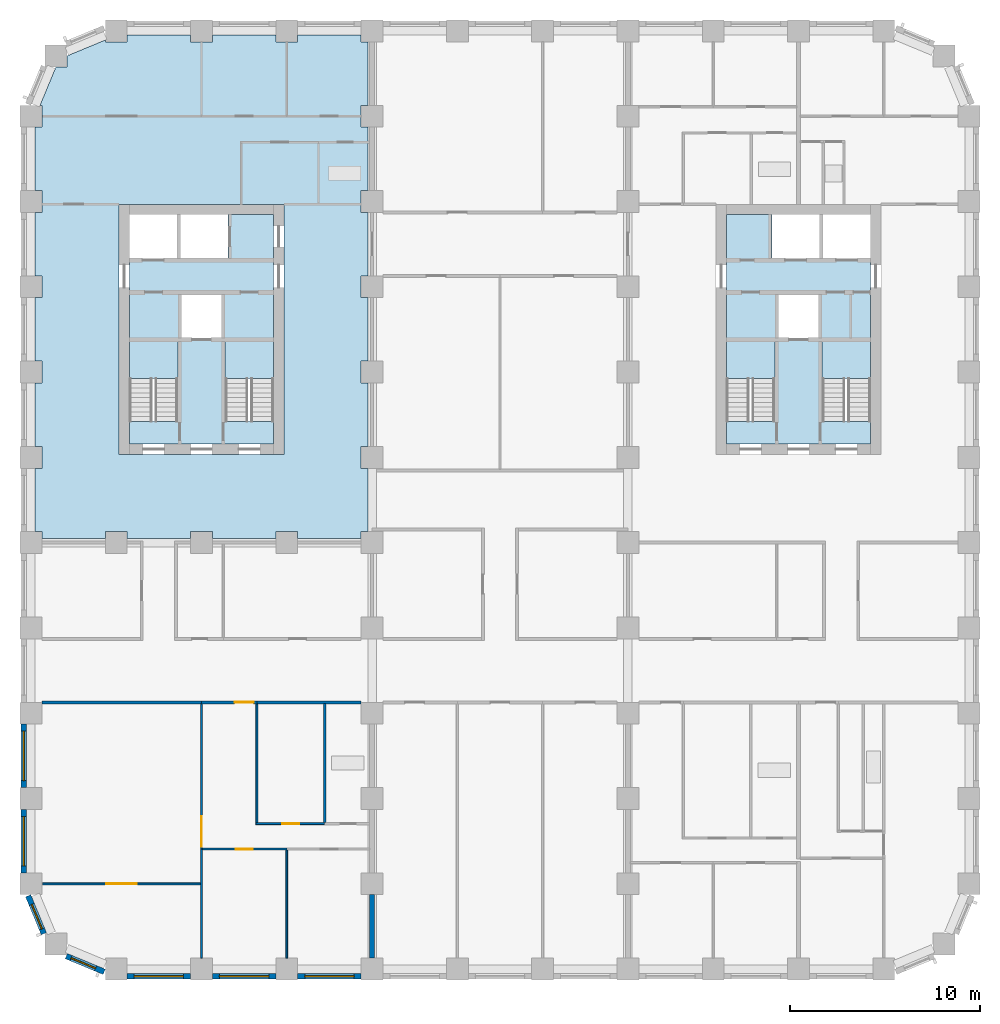
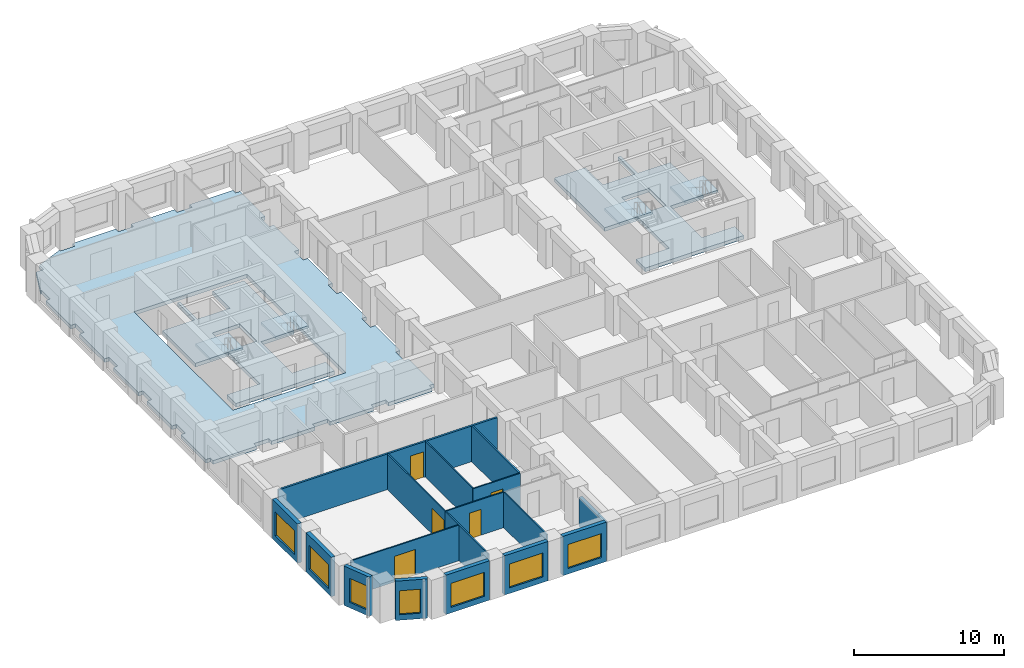
# One storey, part 2 of 12: 19 walls, 7 slabs, 7 windows, 5 doors, 12 openings, 4 elements without a shape of their own.
"""IFC4 building model written with IfcOpenShell, lengths in metres."""

from ifc_helpers import new_model, si_unit, direction, frame, frame_2d, origin, place, context, subcontext, project, spatial, polyline, rectangle, outline, extrude, material, layer, layer_set, type_object, element, fill, aggregate, save


model = new_model("IFC4")

# Units and contexts
model_context = context("Model", 3, precision=1e-05, world=origin(), true_north=direction((0.0, 1.0)))
body_context = subcontext(model_context, "Body", "Model", "MODEL_VIEW")
ifc_project = project(units=[si_unit("LENGTHUNIT", "METRE"), si_unit("AREAUNIT", "SQUARE_METRE"), si_unit("VOLUMEUNIT", "CUBIC_METRE"), si_unit("PLANEANGLEUNIT", "RADIAN"), si_unit("MASSUNIT", "GRAM", prefix="KILO")], contexts=[model_context])

# Site, building, storey
site_placement = place(None, origin())
site = spatial("IfcSite", under=ifc_project, at=site_placement, CompositionType="ELEMENT")
building_placement = place(site_placement, origin())
building = spatial("IfcBuilding", under=site, at=building_placement, Name="Girih Gate Residences", CompositionType="ELEMENT")
storey_placement = place(building_placement, frame((0.0, 0.0, 118.39990234375)))
storey = spatial("IfcBuildingStorey", under=building, at=storey_placement, Name="L33", CompositionType="ELEMENT", Elevation=118.39990234375)

# Slabs
ifc_material_1 = material(Name="Concrete C40/50", Category="concrete")
ifc_layer_1 = layer(ifc_material_1, 0.300048828125)
ifc_layer_set_1 = layer_set([ifc_layer_1], Name="Core floor slab 300")
slab_type_1 = type_object("IfcSlabType", Name="Core floor slab 300", PredefinedType="FLOOR", material=ifc_layer_set_1)
slab_1_placement = place(storey_placement, frame((0.0, 0.0, -0.2998046875)))
element("IfcSlab", 1, at=slab_1_placement, inside=storey, type_object=slab_type_1, Name="L33 W core floor", PredefinedType="FLOOR", context=body_context, shape_type="SweptSolid", body=[
    extrude(outline(polyline([(12.800048828125, 27.699951171875), (5.199951171875, 27.699951171875), (5.199951171875, 28.900634765625), (7.75, 28.900634765625), (7.75, 33.10009765625), (5.199951171875, 33.10009765625), (5.199951171875, 37.5), (7.699951171875, 37.5), (7.699951171875, 39.800048828125), (7.89990234375, 39.800048828125), (7.89990234375, 37.5), (10.39990234375, 37.5), (10.39990234375, 39.800048828125), (12.800048828125, 39.800048828125), (12.800048828125, 33.10009765625), (10.25, 33.10009765625), (10.25, 28.900634765625), (12.800048828125, 28.900634765625), (12.800048828125, 27.699951171875)]), holes=[polyline([(7.949951171875, 33.300048828125), (10.050048828125, 33.300048828125), (10.050048828125, 35.60009765625), (7.949951171875, 35.60009765625), (7.949951171875, 33.300048828125)])]), origin(), (0.0, 0.0, 1.0), 0.2998046875),
])
slab_2_placement = place(storey_placement, frame((0.0, 0.0, -0.2998046875)))
element("IfcSlab", 2, at=slab_2_placement, inside=storey, type_object=slab_type_1, Name="L33 E core floor", PredefinedType="FLOOR", context=body_context, shape_type="SweptSolid", body=[
    extrude(outline(polyline([(44.300048828125, 27.699951171875), (36.699951171875, 27.699951171875), (36.699951171875, 28.900634765625), (39.25, 28.900634765625), (39.25, 33.10009765625), (36.699951171875, 33.10009765625), (36.699951171875, 39.800048828125), (39.10009765625, 39.800048828125), (39.10009765625, 37.5), (41.60009765625, 37.5), (41.60009765625, 39.800048828125), (41.800048828125, 39.800048828125), (41.800048828125, 37.5), (44.300048828125, 37.5), (44.300048828125, 33.10009765625), (41.75, 33.10009765625), (41.75, 28.900634765625), (44.300048828125, 28.900634765625), (44.300048828125, 27.699951171875)]), holes=[polyline([(39.449951171875, 33.300048828125), (41.550048828125, 33.300048828125), (41.550048828125, 35.60009765625), (39.449951171875, 35.60009765625), (39.449951171875, 33.300048828125)])]), origin(), (0.0, 0.0, 1.0), 0.2998046875),
])
ifc_layer_2 = layer(ifc_material_1, 0.300048828125)
ifc_layer_set_2 = layer_set([ifc_layer_2], Name="Floor slab PT 300 Concrete C40/50")
slab_type_2 = type_object("IfcSlabType", Name="Floor slab PT 300 Concrete C40/50", PredefinedType="FLOOR", material=ifc_layer_set_2)
slab_3_placement = place(storey_placement, frame((0.0, 0.0, -0.2998046875)))
element("IfcSlab", 3, at=slab_3_placement, inside=storey, type_object=slab_type_2, Name="Floor slab L33 3", PredefinedType="FLOOR", context=body_context, shape_type="SweptSolid", body=[
    extrude(outline(polyline([(0.22509765625, 26.425048828125), (0.22509765625, 23.074951171875), (0.574951171875, 23.074951171875), (0.574951171875, 22.72509765625), (3.925048828125, 22.72509765625), (3.925048828125, 23.074951171875), (5.074951171875, 23.074951171875), (5.074951171875, 22.72509765625), (8.425048828125, 22.72509765625), (8.425048828125, 23.074951171875), (9.574951171875, 23.074951171875), (9.574951171875, 22.72509765625), (12.925048828125, 22.72509765625), (12.925048828125, 23.074951171875), (14.074951171875, 23.074951171875), (14.074951171875, 22.72509765625), (17.425048828125, 22.72509765625), (17.425048828125, 23.074951171875), (17.77490234375, 23.074951171875), (17.77490234375, 26.425048828125), (17.425048828125, 26.425048828125), (17.425048828125, 27.574951171875), (17.77490234375, 27.574951171875), (17.77490234375, 30.925048828125), (17.425048828125, 30.925048828125), (17.425048828125, 32.074951171875), (17.77490234375, 32.074951171875), (17.77490234375, 35.425048828125), (17.425048828125, 35.425048828125), (17.425048828125, 36.574951171875), (17.77490234375, 36.574951171875), (17.77490234375, 39.925048828125), (17.425048828125, 39.925048828125), (17.425048828125, 41.074951171875), (17.77490234375, 41.074951171875), (17.77490234375, 44.425048828125), (17.425048828125, 44.425048828125), (17.425048828125, 45.574951171875), (17.77490234375, 45.574951171875), (17.77490234375, 48.925048828125), (17.425048828125, 48.925048828125), (17.425048828125, 49.27490234375), (14.074951171875, 49.27490234375), (14.074951171875, 48.925048828125), (12.925048828125, 48.925048828125), (12.925048828125, 49.27490234375), (9.574951171875, 49.27490234375), (9.574951171875, 48.925048828125), (8.425048828125, 48.925048828125), (8.425048828125, 49.27490234375), (5.074951171875, 49.27490234375), (5.074951171875, 48.925048828125), (3.925048828125, 48.925048828125), (3.925048828125, 49.018310546875), (1.89306640625, 48.176513671875), (1.89306640625, 47.60693359375), (1.323486328125, 47.60693359375), (0.481689453125, 45.574951171875), (0.574951171875, 45.574951171875), (0.574951171875, 44.425048828125), (0.22509765625, 44.425048828125), (0.22509765625, 41.074951171875), (0.574951171875, 41.074951171875), (0.574951171875, 39.925048828125), (0.22509765625, 39.925048828125), (0.22509765625, 36.574951171875), (0.574951171875, 36.574951171875), (0.574951171875, 35.425048828125), (0.22509765625, 35.425048828125), (0.22509765625, 32.074951171875), (0.574951171875, 32.074951171875), (0.574951171875, 30.925048828125), (0.22509765625, 30.925048828125), (0.22509765625, 27.574951171875), (0.574951171875, 27.574951171875), (0.574951171875, 26.425048828125), (0.22509765625, 26.425048828125)]), holes=[polyline([(13.35009765625, 40.35009765625), (13.35009765625, 27.14990234375), (4.64990234375, 27.14990234375), (4.64990234375, 40.35009765625), (13.35009765625, 40.35009765625)])]), origin(), (0.0, 0.0, 1.0), 0.2998046875),
])

# Stair, slab
stair_type = type_object("IfcStairType", Name="Exit stair", PredefinedType="HALF_TURN_STAIR", material=ifc_material_1)
stair_1_placement = place(storey_placement, origin())
stair_1 = element("IfcStair", 4, at=stair_1_placement, inside=storey, type_object=stair_type, Name="L33 Exit Stair ST-W1", PredefinedType="HALF_TURN_STAIR")
ifc_layer_3 = layer(ifc_material_1, 0.199951171875)
ifc_layer_set_3 = layer_set([ifc_layer_3], Name="Stair landing 200")
slab_type_3 = type_object("IfcSlabType", Name="Stair landing 200", PredefinedType="LANDING", material=ifc_layer_set_3)
slab_4_placement = place(storey_placement, frame((0.0, 0.0, 1.400146484375)))
slab_4 = element("IfcSlab", 5, at=slab_4_placement, type_object=slab_type_3, Name="ST-W1 landing 1", PredefinedType="LANDING", context=body_context, shape_type="SweptSolid", body=[
    extrude(outline(polyline([(7.75, 31.14990234375), (7.75, 33.10009765625), (5.199951171875, 33.10009765625), (5.199951171875, 31.14990234375), (7.75, 31.14990234375)])), origin(), (0.0, 0.0, 1.0), 0.199951171875),
])
aggregate(stair_1, [slab_4])

stair_2_placement = place(storey_placement, origin())
stair_2 = element("IfcStair", 6, at=stair_2_placement, inside=storey, type_object=stair_type, Name="L33 Exit Stair ST-W2", PredefinedType="HALF_TURN_STAIR")
slab_5_placement = place(storey_placement, frame((0.0, 0.0, 1.400146484375)))
slab_5 = element("IfcSlab", 7, at=slab_5_placement, type_object=slab_type_3, Name="ST-W2 landing 1", PredefinedType="LANDING", context=body_context, shape_type="SweptSolid", body=[
    extrude(outline(polyline([(12.800048828125, 31.14990234375), (12.800048828125, 33.10009765625), (10.25, 33.10009765625), (10.25, 31.14990234375), (12.800048828125, 31.14990234375)])), origin(), (0.0, 0.0, 1.0), 0.199951171875),
])
aggregate(stair_2, [slab_5])

stair_3_placement = place(storey_placement, origin())
stair_3 = element("IfcStair", 8, at=stair_3_placement, inside=storey, type_object=stair_type, Name="L33 Exit Stair ST-E1", PredefinedType="HALF_TURN_STAIR")
slab_6_placement = place(storey_placement, frame((0.0, 0.0, 1.400146484375)))
slab_6 = element("IfcSlab", 9, at=slab_6_placement, type_object=slab_type_3, Name="ST-E1 landing 1", PredefinedType="LANDING", context=body_context, shape_type="SweptSolid", body=[
    extrude(outline(polyline([(44.300048828125, 31.14990234375), (44.300048828125, 33.10009765625), (41.75, 33.10009765625), (41.75, 31.14990234375), (44.300048828125, 31.14990234375)])), origin(), (0.0, 0.0, 1.0), 0.199951171875),
])
aggregate(stair_3, [slab_6])

stair_4_placement = place(storey_placement, origin())
stair_4 = element("IfcStair", 10, at=stair_4_placement, inside=storey, type_object=stair_type, Name="L33 Exit Stair ST-E2", PredefinedType="HALF_TURN_STAIR")
slab_7_placement = place(storey_placement, frame((0.0, 0.0, 1.400146484375)))
slab_7 = element("IfcSlab", 11, at=slab_7_placement, type_object=slab_type_3, Name="ST-E2 landing 1", PredefinedType="LANDING", context=body_context, shape_type="SweptSolid", body=[
    extrude(outline(polyline([(39.25, 31.14990234375), (39.25, 33.10009765625), (36.699951171875, 33.10009765625), (36.699951171875, 31.14990234375), (39.25, 31.14990234375)])), origin(), (0.0, 0.0, 1.0), 0.199951171875),
])
aggregate(stair_4, [slab_7])

# Walls
ifc_material_2 = material(Name="Gypsum board on steel studs", Category="steel")
ifc_layer_4 = layer(ifc_material_2, 0.25)
ifc_layer_set_4 = layer_set([ifc_layer_4], Name="Acoustic separating wall 250 mm")
wall_type_1 = type_object("IfcWallType", Name="Acoustic separating wall 250 mm", PredefinedType="PARTITIONING", material=ifc_layer_set_4)
wall_1_placement = place(storey_placement, frame((18.0, 0.574951171875, 0.0), z_axis=(0.0, 0.0, 1.0), x_axis=(0.0, 1.0, 0.0)))
element("IfcWall", 12, at=wall_1_placement, inside=storey, type_object=wall_type_1, Name="L33 partition", PredefinedType="PARTITIONING", context=body_context, shape_type="SweptSolid", body=[
    extrude(rectangle(XDim=3.35009765625, YDim=0.25, at=frame_2d((1.675048828125, 0.0))), origin(), (0.0, 0.0, 1.0), 2.380126953125),
])
ifc_layer_5 = layer(ifc_material_2, 0.14990234375)
ifc_layer_set_5 = layer_set([ifc_layer_5], Name="Compartment wall 150 mm")
wall_type_2 = type_object("IfcWallType", Name="Compartment wall 150 mm", PredefinedType="PARTITIONING", material=ifc_layer_set_5)
wall_2_placement = place(storey_placement, frame((0.574951171875, 14.074951171875, 0.0), z_axis=(0.0, 0.0, 1.0), x_axis=(1.0, 0.0, 0.0)))
element("IfcWall", 13, at=wall_2_placement, inside=storey, type_object=wall_type_2, Name="L33 partition", PredefinedType="PARTITIONING", context=body_context, shape_type="SweptSolid", body=[
    extrude(rectangle(XDim=8.425048828125, YDim=0.14990234375, at=frame_2d((4.21240234375, 0.0))), origin(), (0.0, 0.0, 1.0), 2.900146484375),
])

# Wall, opening, door
wall_3_placement = place(storey_placement, frame((11.925048828125, 14.074951171875, 0.0), z_axis=(0.0, 0.0, 1.0), x_axis=(-1.0, 0.0, 0.0)))
wall_3 = element("IfcWall", 14, at=wall_3_placement, inside=storey, type_object=wall_type_2, Name="L33 partition", PredefinedType="PARTITIONING", context=body_context, shape_type="SweptSolid", body=[
    extrude(rectangle(XDim=2.925048828125, YDim=0.14990234375, at=frame_2d((1.46240234375, 0.0))), origin(), (0.0, 0.0, 1.0), 2.900146484375),
])
opening_1_placement = place(wall_3_placement, frame((0.175048828125, 0.0, 0.0)))
opening_1 = element("IfcOpeningElement", 15, at=opening_1_placement, cuts=wall_3, Name="Opening A33-007", PredefinedType="OPENING", context=body_context, shape_type="SweptSolid", body=[
    extrude(rectangle(XDim=1.0, YDim=2.10009765625, at=frame_2d((0.5, 1.050048828125))), frame((0.0, 0.0849609375, 0.0), z_axis=(0.0, -1.0, 0.0), x_axis=(1.0, 0.0, 0.0)), (0.0, 0.0, 1.0), 0.169921875),
])
ifc_material_3 = material(Name="Timber, fire-rated core", Category="wood")
door_type_1 = type_object("IfcDoorType", Name="Flat entrance door 1000x2100 FD30S", OperationType="NOTDEFINED", PredefinedType="DOOR", material=ifc_material_3)
door_1_placement = place(opening_1_placement, origin())
door_1 = element("IfcDoor", 16, at=door_1_placement, inside=storey, type_object=door_type_1, Name="Door A33-007", OperationType="SINGLE_SWING_LEFT", OverallHeight=2.10009765625, OverallWidth=1.0, PredefinedType="DOOR", context=body_context, shape_type="SweptSolid", body=[
    extrude(rectangle(XDim=1.0, YDim=2.10009765625, at=frame_2d((0.5, 1.050048828125))), frame((0.0, 0.02490234375, 0.0), z_axis=(0.0, -1.0, 0.0), x_axis=(1.0, 0.0, 0.0)), (0.0, 0.0, 1.0), 0.050048828125),
])
fill(opening_1, door_1)

# Walls
wall_4_placement = place(storey_placement, frame((11.925048828125, 14.074951171875, 0.0), z_axis=(0.0, 0.0, 1.0), x_axis=(1.0, 0.0, 0.0)))
element("IfcWall", 17, at=wall_4_placement, inside=storey, type_object=wall_type_2, Name="L33 partition", PredefinedType="PARTITIONING", context=body_context, shape_type="SweptSolid", body=[
    extrude(rectangle(XDim=5.5, YDim=0.14990234375, at=frame_2d((2.75, 0.0))), origin(), (0.0, 0.0, 1.0), 2.900146484375),
])
ifc_layer_6 = layer(ifc_material_2, 0.10009765625)
ifc_layer_set_6 = layer_set([ifc_layer_6], Name="Partition 100 mm")
wall_type_3 = type_object("IfcWallType", Name="Partition 100 mm", PredefinedType="PARTITIONING", material=ifc_layer_set_6)
wall_5_placement = place(storey_placement, frame((13.5, 0.574951171875, 0.0), z_axis=(0.0, 0.0, 1.0), x_axis=(0.0, 1.0, 0.0)))
element("IfcWall", 18, at=wall_5_placement, inside=storey, type_object=wall_type_3, Name="L33 partition", PredefinedType="PARTITIONING", context=body_context, shape_type="SweptSolid", body=[
    extrude(rectangle(XDim=5.7099609375, YDim=0.10009765625, at=frame_2d((2.85498046875, 0.0))), origin(), (0.0, 0.0, 1.0), 2.900146484375),
])

# Wall, opening, door
wall_6_placement = place(storey_placement, frame((13.5, 6.3349609375, 0.0), z_axis=(0.0, 0.0, 1.0), x_axis=(-1.0, 0.0, 0.0)))
wall_6 = element("IfcWall", 19, at=wall_6_placement, inside=storey, type_object=wall_type_3, Name="L33 partition", PredefinedType="PARTITIONING", context=body_context, shape_type="SweptSolid", body=[
    extrude(rectangle(XDim=4.449951171875, YDim=0.10009765625, at=frame_2d((2.22509765625, 0.0))), origin(), (0.0, 0.0, 1.0), 2.900146484375),
])
opening_2_placement = place(wall_6_placement, frame((1.800048828125, 0.0, 0.0)))
opening_2 = element("IfcOpeningElement", 20, at=opening_2_placement, cuts=wall_6, Name="Opening A33-002", PredefinedType="OPENING", context=body_context, shape_type="SweptSolid", body=[
    extrude(rectangle(XDim=0.89990234375, YDim=2.10009765625, at=frame_2d((0.449951171875, 1.050048828125))), frame((0.0, 0.06005859375, 0.0), z_axis=(0.0, -1.0, 0.0), x_axis=(1.0, 0.0, 0.0)), (0.0, 0.0, 1.0), 0.1201171875),
])
ifc_material_4 = material(Name="Timber", Category="wood")
door_type_2 = type_object("IfcDoorType", Name="Bedroom door 900x2100", OperationType="NOTDEFINED", PredefinedType="DOOR", material=ifc_material_4)
door_2_placement = place(opening_2_placement, origin())
door_2 = element("IfcDoor", 21, at=door_2_placement, inside=storey, type_object=door_type_2, Name="Door A33-002", OperationType="SINGLE_SWING_RIGHT", OverallHeight=2.10009765625, OverallWidth=0.89990234375, PredefinedType="DOOR", context=body_context, shape_type="SweptSolid", body=[
    extrude(rectangle(XDim=0.89990234375, YDim=2.10009765625, at=frame_2d((0.449951171875, 1.050048828125))), frame((0.0, 0.02490234375, 0.0), z_axis=(0.0, -1.0, 0.0), x_axis=(1.0, 0.0, 0.0)), (0.0, 0.0, 1.0), 0.050048828125),
])
fill(opening_2, door_2)

# Wall
wall_7_placement = place(storey_placement, frame((9.0, 0.574951171875, 0.0), z_axis=(0.0, 0.0, 1.0), x_axis=(0.0, 1.0, 0.0)))
element("IfcWall", 22, at=wall_7_placement, inside=storey, type_object=wall_type_3, Name="L33 partition", PredefinedType="PARTITIONING", context=body_context, shape_type="SweptSolid", body=[
    extrude(rectangle(XDim=5.760009765625, YDim=0.10009765625, at=frame_2d((2.8798828125, 0.0))), origin(), (0.0, 0.0, 1.0), 2.900146484375),
])

# Wall, opening, door
wall_8_placement = place(storey_placement, frame((9.0, 6.3349609375, 0.0), z_axis=(0.0, 0.0, 1.0), x_axis=(0.0, 1.0, 0.0)))
wall_8 = element("IfcWall", 23, at=wall_8_placement, inside=storey, type_object=wall_type_3, Name="L33 partition", PredefinedType="PARTITIONING", context=body_context, shape_type="SweptSolid", body=[
    extrude(rectangle(XDim=7.6650390625, YDim=0.10009765625, at=frame_2d((3.83251953125, 0.0))), origin(), (0.0, 0.0, 1.0), 2.900146484375),
])
opening_3_placement = place(wall_8_placement, frame((0.1298828125, 0.0, 0.0)))
opening_3 = element("IfcOpeningElement", 24, at=opening_3_placement, cuts=wall_8, Name="Opening A33-004", PredefinedType="OPENING", context=body_context, shape_type="SweptSolid", body=[
    extrude(rectangle(XDim=1.60009765625, YDim=2.10009765625, at=frame_2d((0.800048828125, 1.050048828125))), frame((0.0, 0.06005859375, 0.0), z_axis=(0.0, -1.0, 0.0), x_axis=(1.0, 0.0, 0.0)), (0.0, 0.0, 1.0), 0.1201171875),
])
door_type_3 = type_object("IfcDoorType", Name="Double leaf door 1600x2100", OperationType="NOTDEFINED", PredefinedType="DOOR", material=ifc_material_4)
door_3_placement = place(opening_3_placement, origin())
door_3 = element("IfcDoor", 25, at=door_3_placement, inside=storey, type_object=door_type_3, Name="Door A33-004", OperationType="SINGLE_SWING_LEFT", OverallHeight=2.10009765625, OverallWidth=1.60009765625, PredefinedType="DOOR", context=body_context, shape_type="SweptSolid", body=[
    extrude(rectangle(XDim=1.60009765625, YDim=2.10009765625, at=frame_2d((0.800048828125, 1.050048828125))), frame((0.0, 0.02490234375, 0.0), z_axis=(0.0, -1.0, 0.0), x_axis=(1.0, 0.0, 0.0)), (0.0, 0.0, 1.0), 0.050048828125),
])
fill(opening_3, door_3)

wall_9_placement = place(storey_placement, frame((0.622314453125, 4.5, 0.0), z_axis=(0.0, 0.0, 1.0), x_axis=(1.0, 0.0, 0.0)))
wall_9 = element("IfcWall", 26, at=wall_9_placement, inside=storey, type_object=wall_type_3, Name="L33 partition", PredefinedType="PARTITIONING", context=body_context, shape_type="SweptSolid", body=[
    extrude(rectangle(XDim=8.32763671875, YDim=0.10009765625, at=frame_2d((4.163818359375, 0.0))), origin(), (0.0, 0.0, 1.0), 2.900146484375),
])
opening_4_placement = place(wall_9_placement, frame((3.364990234375, 0.0, 0.0)))
opening_4 = element("IfcOpeningElement", 27, at=opening_4_placement, cuts=wall_9, Name="Opening A33-005", PredefinedType="OPENING", context=body_context, shape_type="SweptSolid", body=[
    extrude(rectangle(XDim=1.60009765625, YDim=2.10009765625, at=frame_2d((0.800048828125, 1.050048828125))), frame((0.0, 0.06005859375, 0.0), z_axis=(0.0, -1.0, 0.0), x_axis=(1.0, 0.0, 0.0)), (0.0, 0.0, 1.0), 0.1201171875),
])
door_4_placement = place(opening_4_placement, origin())
door_4 = element("IfcDoor", 28, at=door_4_placement, inside=storey, type_object=door_type_3, Name="Door A33-005", OperationType="SINGLE_SWING_RIGHT", OverallHeight=2.10009765625, OverallWidth=1.60009765625, PredefinedType="DOOR", context=body_context, shape_type="SweptSolid", body=[
    extrude(rectangle(XDim=1.60009765625, YDim=2.10009765625, at=frame_2d((0.800048828125, 1.050048828125))), frame((0.0, 0.02490234375, 0.0), z_axis=(0.0, -1.0, 0.0), x_axis=(1.0, 0.0, 0.0)), (0.0, 0.0, 1.0), 0.050048828125),
])
fill(opening_4, door_4)

# Wall
wall_10_placement = place(storey_placement, frame((11.925048828125, 7.72509765625, 0.0), z_axis=(0.0, 0.0, 1.0), x_axis=(0.0, 1.0, 0.0)))
element("IfcWall", 29, at=wall_10_placement, inside=storey, type_object=wall_type_3, Name="L33 partition", PredefinedType="PARTITIONING", context=body_context, shape_type="SweptSolid", body=[
    extrude(rectangle(XDim=6.27490234375, YDim=0.10009765625, at=frame_2d((3.137451171875, 0.0))), origin(), (0.0, 0.0, 1.0), 2.900146484375),
])

# Wall, opening, door
wall_11_placement = place(storey_placement, frame((11.875, 7.675048828125, 0.0), z_axis=(0.0, 0.0, 1.0), x_axis=(1.0, 0.0, 0.0)))
wall_11 = element("IfcWall", 30, at=wall_11_placement, inside=storey, type_object=wall_type_3, Name="L33 partition", PredefinedType="PARTITIONING", context=body_context, shape_type="SweptSolid", body=[
    extrude(rectangle(XDim=3.62451171875, YDim=0.10009765625, at=frame_2d((1.812255859375, 0.0))), origin(), (0.0, 0.0, 1.0), 2.900146484375),
])
opening_5_placement = place(wall_11_placement, frame((1.38720703125, 0.0, 0.0)))
opening_5 = element("IfcOpeningElement", 31, at=opening_5_placement, cuts=wall_11, Name="Opening A33-006", PredefinedType="OPENING", context=body_context, shape_type="SweptSolid", body=[
    extrude(rectangle(XDim=0.89990234375, YDim=2.10009765625, at=frame_2d((0.449951171875, 1.050048828125))), frame((0.0, 0.06005859375, 0.0), z_axis=(0.0, -1.0, 0.0), x_axis=(1.0, 0.0, 0.0)), (0.0, 0.0, 1.0), 0.1201171875),
])
door_type_4 = type_object("IfcDoorType", Name="Kitchen door 900x2100", OperationType="NOTDEFINED", PredefinedType="DOOR", material=ifc_material_4)
door_5_placement = place(opening_5_placement, origin())
door_5 = element("IfcDoor", 32, at=door_5_placement, inside=storey, type_object=door_type_4, Name="Door A33-006", OperationType="SINGLE_SWING_RIGHT", OverallHeight=2.10009765625, OverallWidth=0.89990234375, PredefinedType="DOOR", context=body_context, shape_type="SweptSolid", body=[
    extrude(rectangle(XDim=0.89990234375, YDim=2.10009765625, at=frame_2d((0.449951171875, 1.050048828125))), frame((0.0, 0.02490234375, 0.0), z_axis=(0.0, -1.0, 0.0), x_axis=(1.0, 0.0, 0.0)), (0.0, 0.0, 1.0), 0.050048828125),
])
fill(opening_5, door_5)

# Wall, opening, window
ifc_material_5 = material(Name="Precast concrete C50/60", Category="concrete")
ifc_layer_7 = layer(ifc_material_5, 0.080078125, Name="Outer leaf")
ifc_material_6 = material(Name="Rigid PIR insulation")
ifc_layer_8 = layer(ifc_material_6, 0.14990234375, Name="Insulation")
ifc_material_7 = material(Name="Precast concrete C40/50", Category="concrete")
ifc_layer_9 = layer(ifc_material_7, 0.070068359375, Name="Inner leaf")
ifc_layer_set_7 = layer_set([ifc_layer_7, ifc_layer_8, ifc_layer_9], Name="Precast concrete C50/60 external wall 300")
wall_type_4 = type_object("IfcWallType", Name="Precast concrete C50/60 external wall 300", PredefinedType="SOLIDWALL", material=ifc_layer_set_7)
wall_12_placement = place(storey_placement, frame((0.68408203125, 1.86865234375, 0.0), z_axis=(0.0, 0.0, 1.0), x_axis=(-0.382723818695, 0.923862802911, 0.0)))
wall_12 = element("IfcWall", 33, at=wall_12_placement, inside=storey, type_object=wall_type_4, Name="External wall SW0000_0045.0", PredefinedType="SOLIDWALL", context=body_context, shape_type="SweptSolid", body=[
    extrude(rectangle(XDim=2.163818359375, YDim=0.300048828125, at=frame_2d((1.08203125, 0.0))), origin(), (0.0, 0.0, 1.0), 3.2001953125),
])
opening_6_placement = place(wall_12_placement, frame((0.270751953125, 0.0, 0.449951171875)))
opening_6 = element("IfcOpeningElement", 34, at=opening_6_placement, cuts=wall_12, Name="Opening W-2D", PredefinedType="OPENING", context=body_context, shape_type="SweptSolid", body=[
    extrude(rectangle(XDim=1.39990234375, YDim=1.949951171875, at=frame_2d((0.699951171875, 0.97509765625))), frame((0.0, 0.159912109375, 0.0), z_axis=(0.0, -1.0, 0.0), x_axis=(1.0, 0.0, 0.0)), (0.0, 0.0, 1.0), 0.320068359375),
])
ifc_material_8 = material(Name="Double glazing in aluminium frame", Category="aluminium")
window_type_1 = type_object("IfcWindowType", Name="Window W-2D 1400x1950", PartitioningType="SINGLE_PANEL", PredefinedType="WINDOW", material=ifc_material_8)
window_1_placement = place(opening_6_placement, origin())
window_1 = element("IfcWindow", 35, at=window_1_placement, inside=storey, type_object=window_type_1, Name="Window W-2D SW0000_0045.0", OverallHeight=1.949951171875, OverallWidth=1.39990234375, PartitioningType="SINGLE_PANEL", PredefinedType="WINDOW", context=body_context, shape_type="SweptSolid", body=[
    extrude(rectangle(XDim=1.39990234375, YDim=1.949951171875, at=frame_2d((0.699951171875, 0.97509765625))), frame((0.0, 0.030029296875, 0.0), z_axis=(0.0, -1.0, 0.0), x_axis=(1.0, 0.0, 0.0)), (0.0, 0.0, 1.0), 0.06005859375),
])
fill(opening_6, window_1)

wall_13_placement = place(storey_placement, frame((3.86767578125, -0.14404296875, 0.0), z_axis=(0.0, 0.0, 1.0), x_axis=(-0.923862802911, 0.382723818695, 0.0)))
wall_13 = element("IfcWall", 36, at=wall_13_placement, inside=storey, type_object=wall_type_4, Name="External wall SW0013_0013.0", PredefinedType="SOLIDWALL", context=body_context, shape_type="SweptSolid", body=[
    extrude(rectangle(XDim=2.163818359375, YDim=0.300048828125, at=frame_2d((1.08203125, 0.0))), origin(), (0.0, 0.0, 1.0), 3.2001953125),
])
opening_7_placement = place(wall_13_placement, frame((0.492919921875, 0.0, 0.449951171875)))
opening_7 = element("IfcOpeningElement", 37, at=opening_7_placement, cuts=wall_13, Name="Opening W-2D", PredefinedType="OPENING", context=body_context, shape_type="SweptSolid", body=[
    extrude(rectangle(XDim=1.39990234375, YDim=1.949951171875, at=frame_2d((0.699951171875, 0.97509765625))), frame((0.0, 0.159912109375, 0.0), z_axis=(0.0, -1.0, 0.0), x_axis=(1.0, 0.0, 0.0)), (0.0, 0.0, 1.0), 0.320068359375),
])
window_2_placement = place(opening_7_placement, origin())
window_2 = element("IfcWindow", 38, at=window_2_placement, inside=storey, type_object=window_type_1, Name="Window W-2D SW0013_0013.0", OverallHeight=1.949951171875, OverallWidth=1.39990234375, PartitioningType="SINGLE_PANEL", PredefinedType="WINDOW", context=body_context, shape_type="SweptSolid", body=[
    extrude(rectangle(XDim=1.39990234375, YDim=1.949951171875, at=frame_2d((0.699951171875, 0.97509765625))), frame((0.0, 0.030029296875, 0.0), z_axis=(0.0, -1.0, 0.0), x_axis=(1.0, 0.0, 0.0)), (0.0, 0.0, 1.0), 0.06005859375),
])
fill(opening_7, window_2)

wall_14_placement = place(storey_placement, frame((8.425048828125, -0.375, 0.0), z_axis=(0.0, 0.0, 1.0), x_axis=(-1.0, 0.0, 0.0)))
wall_14 = element("IfcWall", 39, at=wall_14_placement, inside=storey, type_object=wall_type_4, Name="External wall S0045_0000.0", PredefinedType="SOLIDWALL", context=body_context, shape_type="SweptSolid", body=[
    extrude(rectangle(XDim=3.35009765625, YDim=0.300048828125, at=frame_2d((1.675048828125, 0.0))), origin(), (0.0, 0.0, 1.0), 3.2001953125),
])
opening_8_placement = place(wall_14_placement, frame((0.375, 0.0, 0.449951171875)))
opening_8 = element("IfcOpeningElement", 40, at=opening_8_placement, cuts=wall_14, Name="Opening W-1A", PredefinedType="OPENING", context=body_context, shape_type="SweptSolid", body=[
    extrude(rectangle(XDim=2.60009765625, YDim=1.949951171875, at=frame_2d((1.300048828125, 0.97509765625))), frame((0.0, 0.159912109375, 0.0), z_axis=(0.0, -1.0, 0.0), x_axis=(1.0, 0.0, 0.0)), (0.0, 0.0, 1.0), 0.320068359375),
])
window_type_2 = type_object("IfcWindowType", Name="Window W-1A 2600x1950", PartitioningType="SINGLE_PANEL", PredefinedType="WINDOW", material=ifc_material_8)
window_3_placement = place(opening_8_placement, origin())
window_3 = element("IfcWindow", 41, at=window_3_placement, inside=storey, type_object=window_type_2, Name="Window W-1A S0045_0000.0", OverallHeight=1.949951171875, OverallWidth=2.60009765625, PartitioningType="SINGLE_PANEL", PredefinedType="WINDOW", context=body_context, shape_type="SweptSolid", body=[
    extrude(rectangle(XDim=2.60009765625, YDim=1.949951171875, at=frame_2d((1.300048828125, 0.97509765625))), frame((0.0, 0.030029296875, 0.0), z_axis=(0.0, -1.0, 0.0), x_axis=(1.0, 0.0, 0.0)), (0.0, 0.0, 1.0), 0.06005859375),
])
fill(opening_8, window_3)

wall_15_placement = place(storey_placement, frame((12.925048828125, -0.375, 0.0), z_axis=(0.0, 0.0, 1.0), x_axis=(-1.0, 0.0, 0.0)))
wall_15 = element("IfcWall", 42, at=wall_15_placement, inside=storey, type_object=wall_type_4, Name="External wall S0045_0000.1", PredefinedType="SOLIDWALL", context=body_context, shape_type="SweptSolid", body=[
    extrude(rectangle(XDim=3.35009765625, YDim=0.300048828125, at=frame_2d((1.675048828125, 0.0))), origin(), (0.0, 0.0, 1.0), 3.2001953125),
])
opening_9_placement = place(wall_15_placement, frame((0.375, 0.0, 0.449951171875)))
opening_9 = element("IfcOpeningElement", 43, at=opening_9_placement, cuts=wall_15, Name="Opening W-1A", PredefinedType="OPENING", context=body_context, shape_type="SweptSolid", body=[
    extrude(rectangle(XDim=2.60009765625, YDim=1.949951171875, at=frame_2d((1.300048828125, 0.97509765625))), frame((0.0, 0.159912109375, 0.0), z_axis=(0.0, -1.0, 0.0), x_axis=(1.0, 0.0, 0.0)), (0.0, 0.0, 1.0), 0.320068359375),
])
window_4_placement = place(opening_9_placement, origin())
window_4 = element("IfcWindow", 44, at=window_4_placement, inside=storey, type_object=window_type_2, Name="Window W-1A S0045_0000.1", OverallHeight=1.949951171875, OverallWidth=2.60009765625, PartitioningType="SINGLE_PANEL", PredefinedType="WINDOW", context=body_context, shape_type="SweptSolid", body=[
    extrude(rectangle(XDim=2.60009765625, YDim=1.949951171875, at=frame_2d((1.300048828125, 0.97509765625))), frame((0.0, 0.030029296875, 0.0), z_axis=(0.0, -1.0, 0.0), x_axis=(1.0, 0.0, 0.0)), (0.0, 0.0, 1.0), 0.06005859375),
])
fill(opening_9, window_4)

wall_16_placement = place(storey_placement, frame((17.425048828125, -0.375, 0.0), z_axis=(0.0, 0.0, 1.0), x_axis=(-1.0, 0.0, 0.0)))
wall_16 = element("IfcWall", 45, at=wall_16_placement, inside=storey, type_object=wall_type_4, Name="External wall S0045_0000.2", PredefinedType="SOLIDWALL", context=body_context, shape_type="SweptSolid", body=[
    extrude(rectangle(XDim=3.35009765625, YDim=0.300048828125, at=frame_2d((1.675048828125, 0.0))), origin(), (0.0, 0.0, 1.0), 3.2001953125),
])
opening_10_placement = place(wall_16_placement, frame((0.375, 0.0, 0.449951171875)))
opening_10 = element("IfcOpeningElement", 46, at=opening_10_placement, cuts=wall_16, Name="Opening W-1A", PredefinedType="OPENING", context=body_context, shape_type="SweptSolid", body=[
    extrude(rectangle(XDim=2.60009765625, YDim=1.949951171875, at=frame_2d((1.300048828125, 0.97509765625))), frame((0.0, 0.159912109375, 0.0), z_axis=(0.0, -1.0, 0.0), x_axis=(1.0, 0.0, 0.0)), (0.0, 0.0, 1.0), 0.320068359375),
])
window_5_placement = place(opening_10_placement, origin())
window_5 = element("IfcWindow", 47, at=window_5_placement, inside=storey, type_object=window_type_2, Name="Window W-1A S0045_0000.2", OverallHeight=1.949951171875, OverallWidth=2.60009765625, PartitioningType="SINGLE_PANEL", PredefinedType="WINDOW", context=body_context, shape_type="SweptSolid", body=[
    extrude(rectangle(XDim=2.60009765625, YDim=1.949951171875, at=frame_2d((1.300048828125, 0.97509765625))), frame((0.0, 0.030029296875, 0.0), z_axis=(0.0, -1.0, 0.0), x_axis=(1.0, 0.0, 0.0)), (0.0, 0.0, 1.0), 0.06005859375),
])
fill(opening_10, window_5)

wall_17_placement = place(storey_placement, frame((-0.375, 9.574951171875, 0.0), z_axis=(0.0, 0.0, 1.0), x_axis=(0.0, 1.0, 0.0)))
wall_17 = element("IfcWall", 48, at=wall_17_placement, inside=storey, type_object=wall_type_4, Name="External wall W0000_0450.7", PredefinedType="SOLIDWALL", context=body_context, shape_type="SweptSolid", body=[
    extrude(rectangle(XDim=3.35009765625, YDim=0.300048828125, at=frame_2d((1.675048828125, 0.0))), origin(), (0.0, 0.0, 1.0), 3.2001953125),
])
opening_11_placement = place(wall_17_placement, frame((0.375, 0.0, 0.449951171875)))
opening_11 = element("IfcOpeningElement", 49, at=opening_11_placement, cuts=wall_17, Name="Opening W-1A", PredefinedType="OPENING", context=body_context, shape_type="SweptSolid", body=[
    extrude(rectangle(XDim=2.60009765625, YDim=1.949951171875, at=frame_2d((1.300048828125, 0.97509765625))), frame((0.0, 0.159912109375, 0.0), z_axis=(0.0, -1.0, 0.0), x_axis=(1.0, 0.0, 0.0)), (0.0, 0.0, 1.0), 0.320068359375),
])
window_6_placement = place(opening_11_placement, origin())
window_6 = element("IfcWindow", 50, at=window_6_placement, inside=storey, type_object=window_type_2, Name="Window W-1A W0000_0450.7", OverallHeight=1.949951171875, OverallWidth=2.60009765625, PartitioningType="SINGLE_PANEL", PredefinedType="WINDOW", context=body_context, shape_type="SweptSolid", body=[
    extrude(rectangle(XDim=2.60009765625, YDim=1.949951171875, at=frame_2d((1.300048828125, 0.97509765625))), frame((0.0, 0.030029296875, 0.0), z_axis=(0.0, -1.0, 0.0), x_axis=(1.0, 0.0, 0.0)), (0.0, 0.0, 1.0), 0.06005859375),
])
fill(opening_11, window_6)

wall_18_placement = place(storey_placement, frame((-0.375, 5.074951171875, 0.0), z_axis=(0.0, 0.0, 1.0), x_axis=(0.0, 1.0, 0.0)))
wall_18 = element("IfcWall", 51, at=wall_18_placement, inside=storey, type_object=wall_type_4, Name="External wall W0000_0450.8", PredefinedType="SOLIDWALL", context=body_context, shape_type="SweptSolid", body=[
    extrude(rectangle(XDim=3.35009765625, YDim=0.300048828125, at=frame_2d((1.675048828125, 0.0))), origin(), (0.0, 0.0, 1.0), 3.2001953125),
])
opening_12_placement = place(wall_18_placement, frame((0.375, 0.0, 0.449951171875)))
opening_12 = element("IfcOpeningElement", 52, at=opening_12_placement, cuts=wall_18, Name="Opening W-1A", PredefinedType="OPENING", context=body_context, shape_type="SweptSolid", body=[
    extrude(rectangle(XDim=2.60009765625, YDim=1.949951171875, at=frame_2d((1.300048828125, 0.97509765625))), frame((0.0, 0.159912109375, 0.0), z_axis=(0.0, -1.0, 0.0), x_axis=(1.0, 0.0, 0.0)), (0.0, 0.0, 1.0), 0.320068359375),
])
window_7_placement = place(opening_12_placement, origin())
window_7 = element("IfcWindow", 53, at=window_7_placement, inside=storey, type_object=window_type_2, Name="Window W-1A W0000_0450.8", OverallHeight=1.949951171875, OverallWidth=2.60009765625, PartitioningType="SINGLE_PANEL", PredefinedType="WINDOW", context=body_context, shape_type="SweptSolid", body=[
    extrude(rectangle(XDim=2.60009765625, YDim=1.949951171875, at=frame_2d((1.300048828125, 0.97509765625))), frame((0.0, 0.030029296875, 0.0), z_axis=(0.0, -1.0, 0.0), x_axis=(1.0, 0.0, 0.0)), (0.0, 0.0, 1.0), 0.06005859375),
])
fill(opening_12, window_7)

# Wall
ifc_layer_10 = layer(ifc_material_2, 0.125)
ifc_layer_set_8 = layer_set([ifc_layer_10], Name="Wet room wall 125 mm")
wall_type_5 = type_object("IfcWallType", Name="Wet room wall 125 mm", PredefinedType="PARTITIONING", material=ifc_layer_set_8)
wall_19_placement = place(storey_placement, frame((15.5, 7.737548828125, 0.0), z_axis=(0.0, 0.0, 1.0), x_axis=(0.0, 1.0, 0.0)))
element("IfcWall", 54, at=wall_19_placement, inside=storey, type_object=wall_type_5, Name="L33 partition", PredefinedType="PARTITIONING", context=body_context, shape_type="SweptSolid", body=[
    extrude(rectangle(XDim=6.262451171875, YDim=0.125, at=frame_2d((3.13134765625, 0.0))), origin(), (0.0, 0.0, 1.0), 2.900146484375),
])

save(model, "model.ifc")
